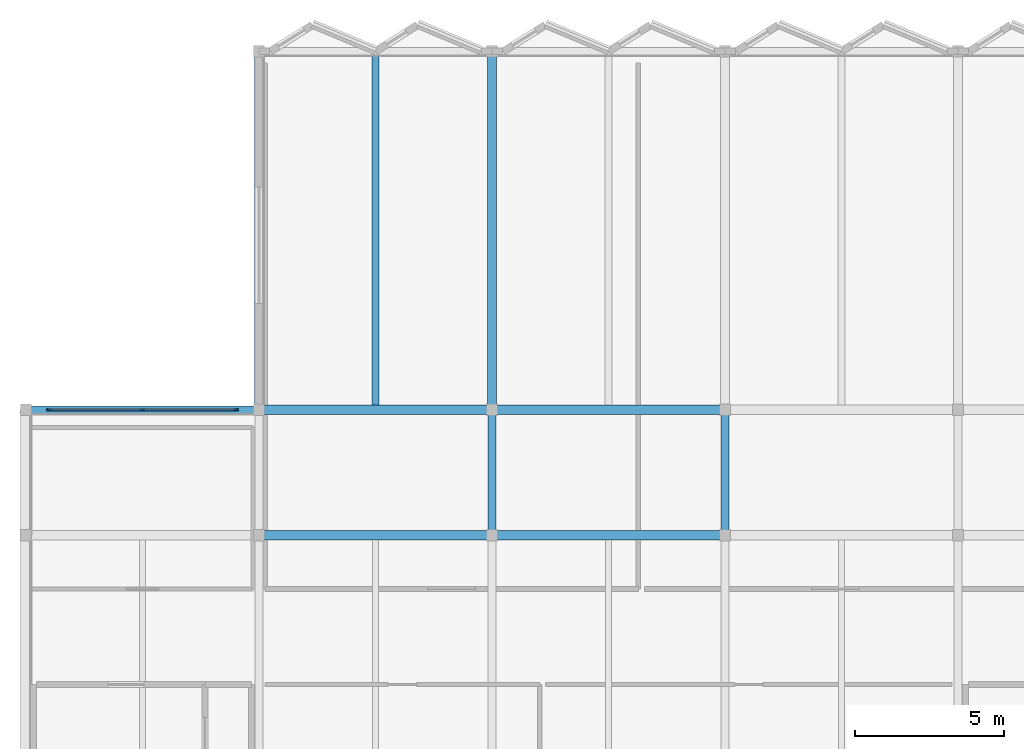
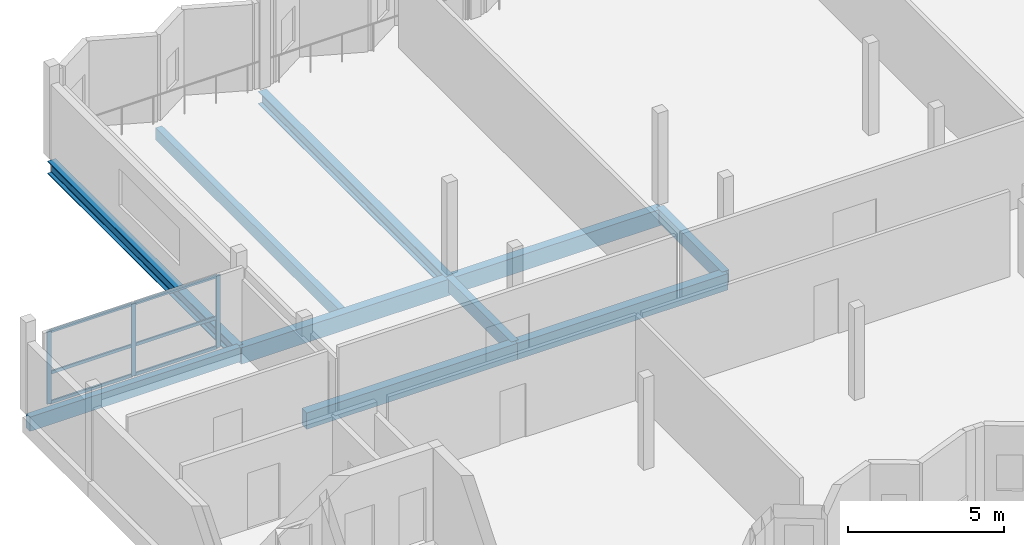
# One storey, part 2 of 11: 10 beams, 9 members, 1 element without a shape of its own.
"""IFC4 building model written with IfcOpenShell, lengths in metres."""

import ifcopenshell
import ifcopenshell.guid

model = None  # the IFC model being written
_history = None  # IfcOwnerHistory: only IFC2X3 demands one
_inside = {}  # id of a spatial element -> (the spatial element, [elements in it])
_under = {}  # id of a project, library or spatial element -> (it, [spatial elements below it])
_declared = {}  # id of a project -> (the project, [libraries it declares])
_typed = {}  # id of a type object -> (the type object, [elements of that type])
_made_of = {}  # id of a material, layer set ... -> (it, [elements and type objects made of it])


def new_model(schema):
    """Start an empty IFC model of exactly this schema.

    Asked for "IFC4X3", IfcOpenShell would pick the latest addendum, in which some entities
    have other attributes; the version numbers below select the first issue.
    IFC2X3 requires an IfcOwnerHistory on every rooted entity: one is made here for all.
    """
    global model, _history
    if schema == "IFC4X3":
        model = ifcopenshell.file(schema_version=(4, 3, 0, 0))
    else:
        model = ifcopenshell.file(schema=schema)
    _inside.clear()
    _under.clear()
    _declared.clear()
    _typed.clear()
    _made_of.clear()
    _history = None
    if model.schema == "IFC2X3":
        org = make("IfcOrganization", Name="unknown")
        user = make(
            "IfcPersonAndOrganization",
            ThePerson=make("IfcPerson", FamilyName="unknown"),
            TheOrganization=org,
        )
        app = make(
            "IfcApplication",
            ApplicationDeveloper=org,
            Version="unknown",
            ApplicationFullName="unknown",
            ApplicationIdentifier="unknown",
        )
        _history = make(
            "IfcOwnerHistory",
            OwningUser=user,
            OwningApplication=app,
            ChangeAction="ADDED",
            CreationDate=0,
        )
    return model


def make(cls, **values):
    """One entity of the class cls with the attributes given. An attribute that is None is left unset."""
    return model.create_entity(
        cls, **{name: value for name, value in values.items() if value is not None}
    )


def rooted(cls, **values):
    """An entity with a GlobalId (a new one), such as an element, a storey or a relation."""
    return make(cls, GlobalId=ifcopenshell.guid.new(), OwnerHistory=_history, **values)


def si_unit(unit_type, name, prefix=None):
    """IfcSIUnit, for example si_unit("LENGTHUNIT", "METRE", prefix="MILLI")."""
    return make("IfcSIUnit", UnitType=unit_type, Prefix=prefix, Name=name)


def assignment(units):
    """IfcUnitAssignment: the units of a project."""
    return None if units is None else make("IfcUnitAssignment", Units=units)


def point(xyz):
    """IfcCartesianPoint."""
    return None if xyz is None else make("IfcCartesianPoint", Coordinates=xyz)


def direction(xyz):
    """IfcDirection."""
    return None if xyz is None else make("IfcDirection", DirectionRatios=xyz)


def frame(location, z_axis=None, x_axis=None):
    """IfcAxis2Placement3D, a coordinate frame: its origin and axes. An axis left out is left unset."""
    return make(
        "IfcAxis2Placement3D",
        Location=point(location),
        Axis=direction(z_axis),
        RefDirection=direction(x_axis),
    )


def frame_2d(location, x_axis=None):
    """IfcAxis2Placement2D, a coordinate frame in the plane: its origin and x axis."""
    return make(
        "IfcAxis2Placement2D", Location=point(location), RefDirection=direction(x_axis)
    )


def origin():
    """The frame at (0, 0, 0) with its axes left unset."""
    return frame((0.0, 0.0, 0.0))


def origin_2d():
    """The frame at (0, 0) in the plane with its x axis left unset."""
    return frame_2d((0.0, 0.0))


def place(relative_to, where):
    """IfcLocalPlacement: puts the frame where relative to a parent placement (None: the world)."""
    return make(
        "IfcLocalPlacement", PlacementRelTo=relative_to, RelativePlacement=where
    )


def context(
    kind, dimensions, precision=None, world=None, true_north=None, identifier=None
):
    """IfcGeometricRepresentationContext, for example the 3D "Model" context."""
    return make(
        "IfcGeometricRepresentationContext",
        ContextIdentifier=identifier,
        ContextType=kind,
        CoordinateSpaceDimension=dimensions,
        Precision=precision,
        WorldCoordinateSystem=world,
        TrueNorth=true_north,
    )


def subcontext(parent, identifier, kind, view, scale=None):
    """IfcGeometricRepresentationSubContext, for example "Body" below "Model"."""
    return make(
        "IfcGeometricRepresentationSubContext",
        ContextIdentifier=identifier,
        ContextType=kind,
        ParentContext=parent,
        TargetScale=scale,
        TargetView=view,
    )


def project(units=None, contexts=None):
    """IfcProject with its units and contexts."""
    return rooted(
        "IfcProject",
        Name="project",
        RepresentationContexts=contexts,
        UnitsInContext=assignment(units),
    )


def spatial(cls, under=None, at=None, **own):
    """A site, building, storey or space (cls), placed at a placement, below another one or the project."""
    s = rooted(cls, ObjectPlacement=at, **own)
    if under is not None:
        _under.setdefault(under.id(), (under, []))[1].append(s)
    return s


def profile(cls, at=None, kind="AREA", **sizes):
    """A parametric profile (cls). Its sizes go by their IFC names, for example OverallWidth=200.0."""
    return make(cls, ProfileType=kind, Position=at, **sizes)


def rectangle(**sizes):
    """IfcRectangleProfileDef."""
    return profile("IfcRectangleProfileDef", **sizes)


def i_section(**sizes):
    """IfcIShapeProfileDef."""
    return profile("IfcIShapeProfileDef", **sizes)


def extrude(swept, where, along, depth):
    """IfcExtrudedAreaSolid: the profile swept, set in the frame where, extruded along a direction by depth."""
    return make(
        "IfcExtrudedAreaSolid",
        SweptArea=swept,
        Position=where,
        ExtrudedDirection=direction(along),
        Depth=depth,
    )


def shape(context_of_items, identifier, shape_type, items):
    """IfcShapeRepresentation: the items that make up one representation, for example the "Body"."""
    return make(
        "IfcShapeRepresentation",
        ContextOfItems=context_of_items,
        RepresentationIdentifier=identifier,
        RepresentationType=shape_type,
        Items=items,
    )


def material(Name=None, Category=None):
    """IfcMaterial."""
    return make("IfcMaterial", Name=Name, Category=Category)


def material_profile(
    of_material, cross_section, Name=None, Category=None, Priority=None
):
    """IfcMaterialProfile: a cross section and its material."""
    return make(
        "IfcMaterialProfile",
        Name=Name,
        Material=of_material,
        Profile=cross_section,
        Priority=Priority,
        Category=Category,
    )


def profile_set(profiles, Name=None, composite=None):
    """IfcMaterialProfileSet."""
    return make(
        "IfcMaterialProfileSet",
        Name=Name,
        MaterialProfiles=profiles,
        CompositeProfile=composite,
    )


def made_of(thing, what):
    """Note that an element or type object is made of a material, layer set ...; save() writes the relation."""
    if what is not None:
        _made_of.setdefault(what.id(), (what, []))[1].append(thing)
    return thing


def type_object(cls, material=None, **own):
    """A type object (cls), such as IfcWallType, which elements share."""
    return made_of(rooted(cls, **own), material)


def element(
    cls,
    number,
    at=None,
    inside=None,
    cuts=None,
    type_object=None,
    material=None,
    context=None,
    identifier="Body",
    shape_type=None,
    held_by="IfcProductDefinitionShape",
    body=None,
    shapes=None,
    **own,
):
    """One element of the class cls, such as IfcWall. Its Tag is "e" and its number.

    at: its placement. inside: the storey or other place that contains it. cuts: it is an
    opening in that element (IfcRelVoidsElement). A single representation is given by context,
    identifier, shape_type and body (its items); several are given by shapes. held_by: the class
    of the entity that holds the representations. save() writes the other relations.
    """
    e = rooted(cls, Tag="e%d" % number, ObjectPlacement=at, **own)
    if body is not None:
        shapes = [shape(context, identifier, shape_type, body)]
    if shapes is not None:
        e.Representation = make(held_by, Representations=shapes)
    if inside is not None:
        _inside.setdefault(inside.id(), (inside, []))[1].append(e)
    if cuts is not None:
        rooted(
            "IfcRelVoidsElement", RelatingBuildingElement=cuts, RelatedOpeningElement=e
        )
    if type_object is not None:
        _typed.setdefault(type_object.id(), (type_object, []))[1].append(e)
    return made_of(e, material)


def aggregate(whole, parts):
    """IfcRelAggregates: a whole, such as a stair, and the parts it consists of."""
    return rooted("IfcRelAggregates", RelatingObject=whole, RelatedObjects=parts)


def save(model, path):
    """Write the relations noted so far, then the file.

    IfcRelAggregates (storeys below a building ...), IfcRelContainedInSpatialStructure (elements
    in a storey), IfcRelDefinesByType, IfcRelAssociatesMaterial and IfcRelDeclares: one each for
    every whole, place, type object, material and project.
    """
    for whole, parts in _under.values():
        aggregate(whole, parts)
    for where, things in _inside.values():
        rooted(
            "IfcRelContainedInSpatialStructure",
            RelatedElements=things,
            RelatingStructure=where,
        )
    for kind, things in _typed.values():
        rooted("IfcRelDefinesByType", RelatedObjects=things, RelatingType=kind)
    for what, things in _made_of.values():
        rooted("IfcRelAssociatesMaterial", RelatedObjects=things, RelatingMaterial=what)
    for by, libraries in _declared.values():
        rooted("IfcRelDeclares", RelatingContext=by, RelatedDefinitions=libraries)
    model.write(path)


model = new_model("IFC4")

# Units and contexts
model_context = context("Model", 3, precision=1e-05, world=origin(), true_north=direction((0.0, 1.0)))
body_context = subcontext(model_context, "Body", "Model", "MODEL_VIEW")
ifc_project = project(units=[si_unit("LENGTHUNIT", "METRE"), si_unit("AREAUNIT", "SQUARE_METRE"), si_unit("VOLUMEUNIT", "CUBIC_METRE"), si_unit("PLANEANGLEUNIT", "RADIAN"), si_unit("MASSUNIT", "GRAM", prefix="KILO")], contexts=[model_context])

# Site, building, storey
site_placement = place(None, origin())
site = spatial("IfcSite", under=ifc_project, at=site_placement, CompositionType="ELEMENT")
building_placement = place(site_placement, origin())
building = spatial("IfcBuilding", under=site, at=building_placement, Name="Vharandega Faculty of Natural Sciences", CompositionType="ELEMENT")
storey_placement = place(building_placement, frame((0.0, 0.0, 36.0)))
storey = spatial("IfcBuildingStorey", under=building, at=storey_placement, Name="L09", CompositionType="ELEMENT", Elevation=36.0)

# Curtain wall, members
ifc_material_1 = material(Name="Aluminium and solar-control glass curtain wall", Category="aluminium")
curtain_wall_type = type_object("IfcCurtainWallType", Name="Unitised Curtain Wall System CW-03", PredefinedType="NOTDEFINED", material=ifc_material_1)
curtain_wall_placement = place(storey_placement, origin())
curtain_wall = element("IfcCurtainWall", 1, at=curtain_wall_placement, inside=storey, type_object=curtain_wall_type, Name="Curtain Wall CW-L09-030", PredefinedType="NOTDEFINED")
ifc_material_2 = material(Name="Thermally broken aluminium 6063-T6", Category="aluminium")
ifc_material_profile_1 = material_profile(ifc_material_2, rectangle(XDim=0.06005859375, YDim=0.159912109375, at=origin_2d()), Name="ALU 60x160")
ifc_profile_set_1 = profile_set([ifc_material_profile_1], Name="Thermally broken aluminium 6063-T6")
member_type_1 = type_object("IfcMemberType", Name="CW Mullion 60x160", PredefinedType="MULLION", material=ifc_profile_set_1)
member_1_placement = place(storey_placement, frame((115.570068359375, 85.0, 0.0), z_axis=(0.0, 0.0, 1.0), x_axis=(0.0, 1.0, 0.0)))
member_1 = element("IfcMember", 2, at=member_1_placement, type_object=member_type_1, Name="CW-03 mullion 1", PredefinedType="MULLION", context=body_context, shape_type="SweptSolid", body=[
    extrude(rectangle(XDim=0.06005859375, YDim=0.159912109375, at=origin_2d()), origin(), (0.0, 0.0, 1.0), 2.840087890625),
])
member_2_placement = place(storey_placement, frame((118.699951171875, 85.0, 0.0), z_axis=(0.0, 0.0, 1.0), x_axis=(0.0, 1.0, 0.0)))
member_2 = element("IfcMember", 3, at=member_2_placement, type_object=member_type_1, Name="CW-03 mullion 2", PredefinedType="MULLION", context=body_context, shape_type="SweptSolid", body=[
    extrude(rectangle(XDim=0.06005859375, YDim=0.159912109375, at=origin_2d()), origin(), (0.0, 0.0, 1.0), 2.840087890625),
])
member_3_placement = place(storey_placement, frame((121.830078125, 85.0, 0.0), z_axis=(0.0, 0.0, 1.0), x_axis=(0.0, 1.0, 0.0)))
member_3 = element("IfcMember", 4, at=member_3_placement, type_object=member_type_1, Name="CW-03 mullion 3", PredefinedType="MULLION", context=body_context, shape_type="SweptSolid", body=[
    extrude(rectangle(XDim=0.06005859375, YDim=0.159912109375, at=origin_2d()), origin(), (0.0, 0.0, 1.0), 2.840087890625),
])
ifc_material_3 = material(Name="Thermally broken aluminium 6063-T6", Category="aluminium")
ifc_material_profile_2 = material_profile(ifc_material_3, rectangle(XDim=0.06005859375, YDim=0.1201171875, at=origin_2d()), Name="ALU 60x120")
ifc_profile_set_2 = profile_set([ifc_material_profile_2], Name="Thermally broken aluminium 6063-T6")
member_type_2 = type_object("IfcMemberType", Name="CW Transom 60x120", PredefinedType="USERDEFINED", material=ifc_profile_set_2)
member_4_placement = place(storey_placement, frame((115.60009765625, 85.0, 0.030029296875), z_axis=(1.0, 0.0, 0.0), x_axis=(0.0, 1.0, 0.0)))
member_4 = element("IfcMember", 5, at=member_4_placement, type_object=member_type_2, Name="CW-03 transom 1.1", ObjectType="TRANSOM", PredefinedType="USERDEFINED", context=body_context, shape_type="SweptSolid", body=[
    extrude(rectangle(XDim=0.06005859375, YDim=0.1201171875, at=origin_2d()), origin(), (0.0, 0.0, 1.0), 3.06982421875),
])
member_5_placement = place(storey_placement, frame((115.60009765625, 85.0, 1.19287109375), z_axis=(1.0, 0.0, 0.0), x_axis=(0.0, 1.0, 0.0)))
member_5 = element("IfcMember", 6, at=member_5_placement, type_object=member_type_2, Name="CW-03 transom 1.2", ObjectType="TRANSOM", PredefinedType="USERDEFINED", context=body_context, shape_type="SweptSolid", body=[
    extrude(rectangle(XDim=0.06005859375, YDim=0.1201171875, at=origin_2d()), origin(), (0.0, 0.0, 1.0), 3.06982421875),
])
member_6_placement = place(storey_placement, frame((115.60009765625, 85.0, 2.81005859375), z_axis=(1.0, 0.0, 0.0), x_axis=(0.0, 1.0, 0.0)))
member_6 = element("IfcMember", 7, at=member_6_placement, type_object=member_type_2, Name="CW-03 transom 1.3", ObjectType="TRANSOM", PredefinedType="USERDEFINED", context=body_context, shape_type="SweptSolid", body=[
    extrude(rectangle(XDim=0.06005859375, YDim=0.1201171875, at=origin_2d()), origin(), (0.0, 0.0, 1.0), 3.06982421875),
])
member_7_placement = place(storey_placement, frame((118.72998046875, 85.0, 0.030029296875), z_axis=(1.0, 0.0, 0.0), x_axis=(0.0, 1.0, 0.0)))
member_7 = element("IfcMember", 8, at=member_7_placement, type_object=member_type_2, Name="CW-03 transom 2.1", ObjectType="TRANSOM", PredefinedType="USERDEFINED", context=body_context, shape_type="SweptSolid", body=[
    extrude(rectangle(XDim=0.06005859375, YDim=0.1201171875, at=origin_2d()), origin(), (0.0, 0.0, 1.0), 3.070068359375),
])
member_8_placement = place(storey_placement, frame((118.72998046875, 85.0, 1.19287109375), z_axis=(1.0, 0.0, 0.0), x_axis=(0.0, 1.0, 0.0)))
member_8 = element("IfcMember", 9, at=member_8_placement, type_object=member_type_2, Name="CW-03 transom 2.2", ObjectType="TRANSOM", PredefinedType="USERDEFINED", context=body_context, shape_type="SweptSolid", body=[
    extrude(rectangle(XDim=0.06005859375, YDim=0.1201171875, at=origin_2d()), origin(), (0.0, 0.0, 1.0), 3.070068359375),
])
member_9_placement = place(storey_placement, frame((118.72998046875, 85.0, 2.81005859375), z_axis=(1.0, 0.0, 0.0), x_axis=(0.0, 1.0, 0.0)))
member_9 = element("IfcMember", 10, at=member_9_placement, type_object=member_type_2, Name="CW-03 transom 2.3", ObjectType="TRANSOM", PredefinedType="USERDEFINED", context=body_context, shape_type="SweptSolid", body=[
    extrude(rectangle(XDim=0.06005859375, YDim=0.1201171875, at=origin_2d()), origin(), (0.0, 0.0, 1.0), 3.070068359375),
])
aggregate(curtain_wall, [member_1, member_2, member_3, member_4, member_5, member_6, member_7, member_8, member_9])

# Beams
ifc_material_4 = material(Name="Glulam GL28h", Category="wood")
ifc_material_profile_3 = material_profile(ifc_material_4, rectangle(XDim=0.260009765625, YDim=0.52001953125, at=origin_2d()), Name="GL28h 260x520")
ifc_profile_set_3 = profile_set([ifc_material_profile_3], Name="Glulam GL28h")
beam_type_1 = type_object("IfcBeamType", Name="Glulam Floor Beam 260x520", PredefinedType="BEAM", material=ifc_profile_set_3)
for number, where, z_axis, x_axis, name in (
    (11, (130.39990234375, 80.800048828125, -0.4599609375), (0.0, 1.0, 0.0), (-1.0, 0.0, 0.0), "Beam L09 17/L-M"),
    (12, (138.199951171875, 80.800048828125, -0.4599609375), (0.0, 1.0, 0.0), (-1.0, 0.0, 0.0), "Beam L09 18/L-M"),
):
    element("IfcBeam", number, at=place(storey_placement, frame(where, z_axis=z_axis, x_axis=x_axis)), inside=storey, type_object=beam_type_1, Name=name, PredefinedType="BEAM", context=body_context, shape_type="SweptSolid", body=[
        extrude(rectangle(XDim=0.260009765625, YDim=0.52001953125, at=origin_2d()), origin(), (0.0, 0.0, 1.0), 4.199951171875),
    ])
ifc_material_5 = material(Name="Glulam GL28h", Category="wood")
ifc_material_profile_4 = material_profile(ifc_material_5, rectangle(XDim=0.320068359375, YDim=0.639892578125, at=origin_2d()), Name="GL28h 320x640")
ifc_profile_set_4 = profile_set([ifc_material_profile_4], Name="Glulam GL28h")
beam_type_2 = type_object("IfcBeamType", Name="Glulam Floor Beam 320x640", PredefinedType="BEAM", material=ifc_profile_set_4)
beam_1_placement = place(storey_placement, frame((122.60009765625, 80.800048828125, -0.52001953125), z_axis=(1.0, 0.0, 0.0), x_axis=(0.0, 1.0, 0.0)))
element("IfcBeam", 13, at=beam_1_placement, inside=storey, type_object=beam_type_2, Name="Beam L09 L/16-17", PredefinedType="BEAM", context=body_context, shape_type="SweptSolid", body=[
    extrude(rectangle(XDim=0.320068359375, YDim=0.639892578125, at=origin_2d()), origin(), (0.0, 0.0, 1.0), 7.7998046875),
])
beam_2_placement = place(storey_placement, frame((130.39990234375, 80.800048828125, -0.52001953125), z_axis=(1.0, 0.0, 0.0), x_axis=(0.0, 1.0, 0.0)))
element("IfcBeam", 14, at=beam_2_placement, inside=storey, type_object=beam_type_2, Name="Beam L09 L/17-18", PredefinedType="BEAM", context=body_context, shape_type="SweptSolid", body=[
    extrude(rectangle(XDim=0.320068359375, YDim=0.639892578125, at=origin_2d()), origin(), (0.0, 0.0, 1.0), 7.800048828125),
])
beam_3_placement = place(storey_placement, frame((122.60009765625, 85.0, -0.52001953125), z_axis=(1.0, 0.0, 0.0), x_axis=(0.0, 1.0, 0.0)))
element("IfcBeam", 15, at=beam_3_placement, inside=storey, type_object=beam_type_2, Name="Beam L09 M/16-17", PredefinedType="BEAM", context=body_context, shape_type="SweptSolid", body=[
    extrude(rectangle(XDim=0.320068359375, YDim=0.639892578125, at=origin_2d()), origin(), (0.0, 0.0, 1.0), 7.7998046875),
])
beam_4_placement = place(storey_placement, frame((130.39990234375, 85.0, -0.52001953125), z_axis=(1.0, 0.0, 0.0), x_axis=(0.0, 1.0, 0.0)))
element("IfcBeam", 16, at=beam_4_placement, inside=storey, type_object=beam_type_2, Name="Beam L09 M/17-18", PredefinedType="BEAM", context=body_context, shape_type="SweptSolid", body=[
    extrude(rectangle(XDim=0.320068359375, YDim=0.639892578125, at=origin_2d()), origin(), (0.0, 0.0, 1.0), 7.800048828125),
])
ifc_material_6 = material(Name="Glulam GL28h", Category="wood")
ifc_material_profile_5 = material_profile(ifc_material_6, rectangle(XDim=0.239990234375, YDim=0.47998046875, at=origin_2d()), Name="GL28h 240x480")
ifc_profile_set_5 = profile_set([ifc_material_profile_5], Name="Glulam GL28h")
beam_type_3 = type_object("IfcBeamType", Name="Glulam Secondary Joist 240x480", PredefinedType="JOIST", material=ifc_profile_set_5)
beam_5_placement = place(storey_placement, frame((126.5, 85.159912109375, -0.43994140625), z_axis=(0.0, 1.0, 0.0), x_axis=(-1.0, 0.0, 0.0)))
element("IfcBeam", 17, at=beam_5_placement, inside=storey, type_object=beam_type_3, Name="Secondary Joist L09 16-17/M-N", PredefinedType="JOIST", context=body_context, shape_type="SweptSolid", body=[
    extrude(rectangle(XDim=0.239990234375, YDim=0.47998046875, at=origin_2d()), origin(), (0.0, 0.0, 1.0), 11.719970703125),
])
ifc_material_7 = material(Name="Glulam GL28h", Category="wood")
ifc_material_profile_6 = material_profile(ifc_material_7, rectangle(XDim=0.239990234375, YDim=0.56005859375, at=origin_2d()), Name="GL28h 240x560")
ifc_profile_set_6 = profile_set([ifc_material_profile_6], Name="Glulam GL28h")
beam_type_4 = type_object("IfcBeamType", Name="Glulam Spandrel Edge Beam 240x560", PredefinedType="SPANDREL", material=ifc_profile_set_6)
beam_6_placement = place(storey_placement, frame((114.800048828125, 85.0, -0.47998046875), z_axis=(1.0, 0.0, 0.0), x_axis=(0.0, 1.0, 0.0)))
element("IfcBeam", 18, at=beam_6_placement, inside=storey, type_object=beam_type_4, Name="Beam L09 M/15-16", PredefinedType="SPANDREL", context=body_context, shape_type="SweptSolid", body=[
    extrude(rectangle(XDim=0.239990234375, YDim=0.56005859375, at=origin_2d()), origin(), (0.0, 0.0, 1.0), 7.800048828125),
])
ifc_material_8 = material(Name="Steel S355", Category="steel")
ifc_material_profile_7 = material_profile(ifc_material_8, i_section(OverallWidth=0.300048828125, OverallDepth=0.5, WebThickness=0.014404296875, FlangeThickness=0.028076171875, FilletRadius=0.027099609375, at=origin_2d()), Name="HEB 500")
ifc_profile_set_7 = profile_set([ifc_material_profile_7], Name="Steel S355")
beam_type_5 = type_object("IfcBeamType", Name="Steel Collector Beam HEB 500", PredefinedType="BEAM", material=ifc_profile_set_7)
for number, where, z_axis, x_axis, name in (
    (19, (122.60009765625, 85.0, -0.449951171875), (0.0, 1.0, 0.0), (-1.0, 0.0, 0.0), "Beam L09 16/M-N"),
    (20, (130.39990234375, 85.0, -0.449951171875), (0.0, 1.0, 0.0), (-1.0, 0.0, 0.0), "Beam L09 17/M-N"),
):
    element("IfcBeam", number, at=place(storey_placement, frame(where, z_axis=z_axis, x_axis=x_axis)), inside=storey, type_object=beam_type_5, Name=name, PredefinedType="BEAM", context=body_context, shape_type="SweptSolid", body=[
        extrude(i_section(OverallWidth=0.300048828125, OverallDepth=0.5, WebThickness=0.014404296875, FlangeThickness=0.028076171875, FilletRadius=0.027099609375, at=origin_2d()), origin(), (0.0, 0.0, 1.0), 12.0),
    ])

save(model, "model.ifc")
